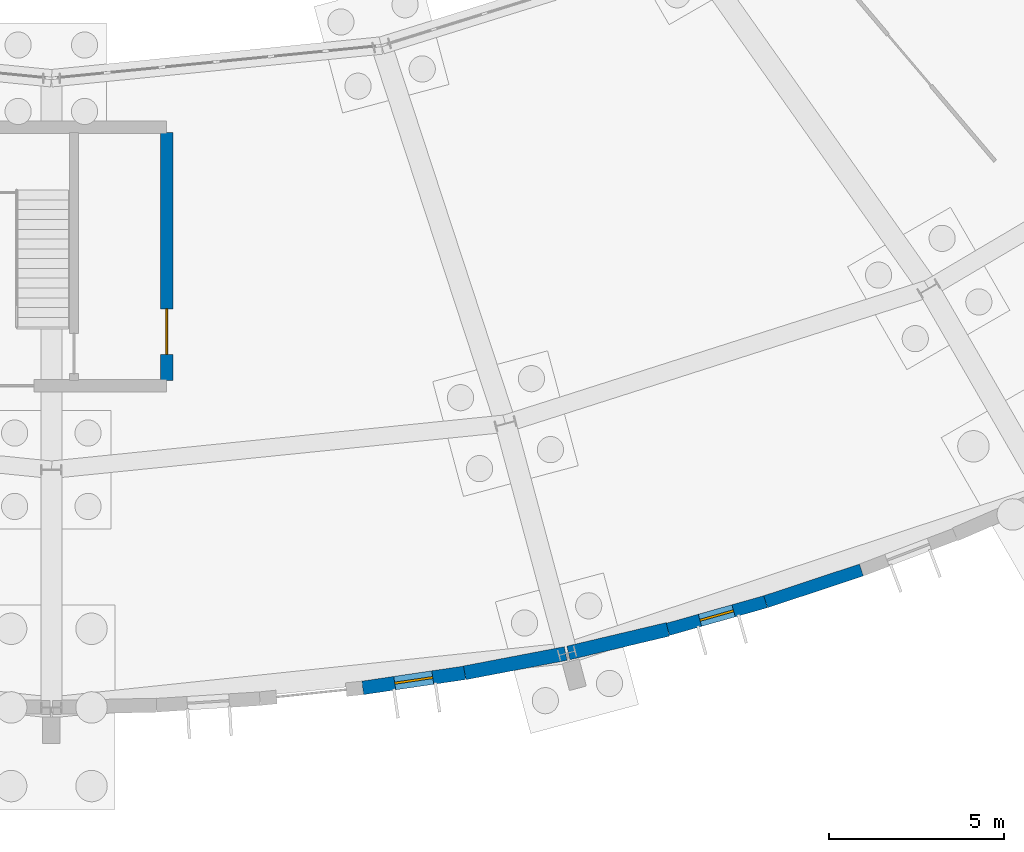
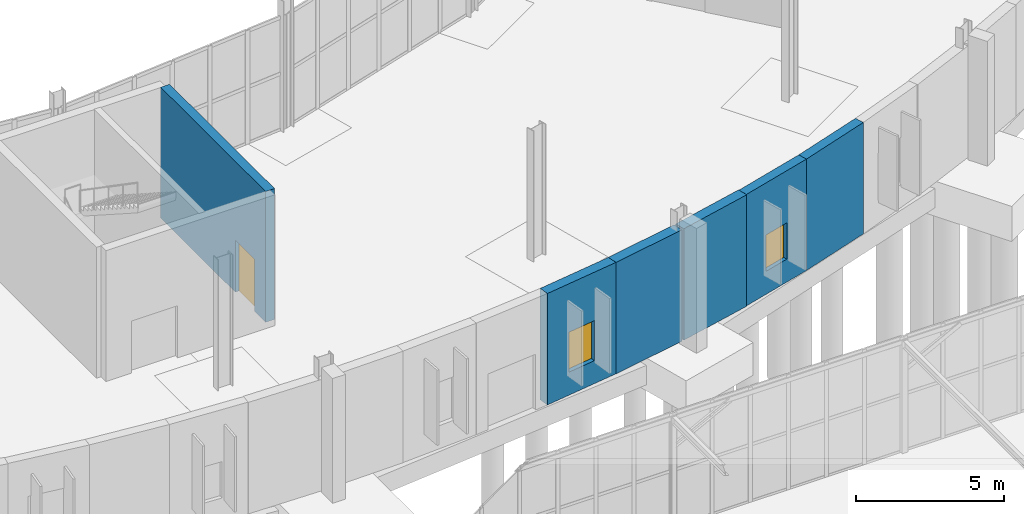
# One storey, part 85 of 118: 6 walls, 2 windows, 1 door, 3 openings.
"""IFC4 building model written with IfcOpenShell, lengths in metres."""

from ifc_helpers import new_model, si_unit, direction, frame, frame_2d, origin, place, context, subcontext, project, spatial, rectangle, extrude, material, layer, layer_set, type_object, element, fill, save


model = new_model("IFC4")

# Units and contexts
model_context = context("Model", 3, precision=1e-05, world=origin(), true_north=direction((0.0, 1.0)))
body_context = subcontext(model_context, "Body", "Model", "MODEL_VIEW")
ifc_project = project(units=[si_unit("LENGTHUNIT", "METRE"), si_unit("AREAUNIT", "SQUARE_METRE"), si_unit("VOLUMEUNIT", "CUBIC_METRE"), si_unit("PLANEANGLEUNIT", "RADIAN"), si_unit("MASSUNIT", "GRAM", prefix="KILO")], contexts=[model_context])

# Site, building, storey
site_placement = place(None, origin())
site = spatial("IfcSite", under=ifc_project, at=site_placement, CompositionType="ELEMENT")
building_placement = place(site_placement, origin())
building = spatial("IfcBuilding", under=site, at=building_placement, Name="Kildeholm Park Wholesale Market", CompositionType="ELEMENT")
storey_placement = place(building_placement, origin())
storey = spatial("IfcBuildingStorey", under=building, at=storey_placement, Name="L00", CompositionType="ELEMENT", Elevation=0.0)

# Wall, opening, window
ifc_material_1 = material(Name="Red Danish clinker brick masonry with Concrete C35/45 backing", Category="masonry")
ifc_layer_1 = layer(ifc_material_1, 0.360107421875)
ifc_layer_set_1 = layer_set([ifc_layer_1], Name="Red Danish clinker brick masonry with Concrete C35/45 backing")
wall_type_1 = type_object("IfcWallType", Name="Exterior wall W-EX1 360 mm", PredefinedType="SOLIDWALL", material=ifc_layer_set_1)
wall_1_placement = place(storey_placement, frame((116.636962890625, 46.23291015625, 0.0), z_axis=(0.0, 0.0, 1.0), x_axis=(0.962286948756, 0.272036446555, 0.0)))
wall_1 = element("IfcWall", 1, at=wall_1_placement, inside=storey, type_object=wall_type_1, Name="Produce ring outer wall 20.2 WL-0163", PredefinedType="SOLIDWALL", context=body_context, shape_type="SweptSolid", body=[
    extrude(rectangle(XDim=2.90771484375, YDim=0.360107421875, at=frame_2d((1.453857421875, 0.0))), origin(), (0.0, 0.0, 1.0), 4.60009765625),
])
opening_1_placement = place(wall_1_placement, frame((0.9541015625, 0.0, 0.949951171875)))
opening_1 = element("IfcOpeningElement", 2, at=opening_1_placement, cuts=wall_1, Name="Opening WN-09", PredefinedType="OPENING", context=body_context, shape_type="SweptSolid", body=[
    extrude(rectangle(XDim=1.0, YDim=1.5, at=frame_2d((0.5, 0.75))), frame((0.0, 0.18994140625, 0.0), z_axis=(0.0, -1.0, 0.0), x_axis=(1.0, 0.0, 0.0)), (0.0, 0.0, 1.0), 0.380126953125),
])
ifc_material_2 = material(Name="Thermally broken aluminium and triple-glazed low-E glass", Category="aluminium")
window_type_1 = type_object("IfcWindowType", Name="Window WN-09 1000x1500", PartitioningType="SINGLE_PANEL", PredefinedType="WINDOW", material=ifc_material_2)
window_1_placement = place(opening_1_placement, origin())
window_1 = element("IfcWindow", 3, at=window_1_placement, inside=storey, type_object=window_type_1, Name="Produce hall arcade window 20.1 WIN-0035", OverallHeight=1.5, OverallWidth=1.0, PartitioningType="SINGLE_PANEL", PredefinedType="WINDOW", context=body_context, shape_type="SweptSolid", body=[
    extrude(rectangle(XDim=1.0, YDim=1.5, at=frame_2d((0.5, 0.75))), frame((0.0, 0.030029296875, 0.0), z_axis=(0.0, -1.0, 0.0), x_axis=(1.0, 0.0, 0.0)), (0.0, 0.0, 1.0), 0.06005859375),
])
fill(opening_1, window_1)

# Walls
wall_2_placement = place(storey_placement, frame((119.43505859375, 47.02392578125, 0.0), z_axis=(0.0, 0.0, 1.0), x_axis=(0.949374423455, 0.314146787489, 0.0)))
element("IfcWall", 4, at=wall_2_placement, inside=storey, type_object=wall_type_1, Name="Produce ring outer wall 20.3 WL-0164", PredefinedType="SOLIDWALL", context=body_context, shape_type="SweptSolid", body=[
    extrude(rectangle(XDim=2.88720703125, YDim=0.360107421875, at=frame_2d((1.443603515625, 0.0))), origin(), (0.0, 0.0, 1.0), 4.60009765625),
])
ifc_material_3 = material(Name="Bornholm granite stone plinth and Concrete C35/45 wall", Category="masonry")
ifc_layer_2 = layer(ifc_material_3, 0.39990234375)
ifc_layer_set_2 = layer_set([ifc_layer_2], Name="Bornholm granite stone plinth and Concrete C35/45 wall")
wall_type_2 = type_object("IfcWallType", Name="Exterior wall W-EX2 400 mm", PredefinedType="SOLIDWALL", material=ifc_layer_set_2)
wall_3_placement = place(storey_placement, frame((110.826904296875, 44.989990234375, 0.0), z_axis=(0.0, 0.0, 1.0), x_axis=(0.982209662349, 0.187787590612, 0.0)))
element("IfcWall", 5, at=wall_3_placement, inside=storey, type_object=wall_type_2, Name="Produce ring outer wall 19.5 WL-0157", PredefinedType="SOLIDWALL", context=body_context, shape_type="SweptSolid", body=[
    extrude(rectangle(XDim=2.939453125, YDim=0.39990234375, at=frame_2d((1.4697265625, 0.0))), origin(), (0.0, 0.0, 1.0), 4.60009765625),
])
wall_4_placement = place(storey_placement, frame((113.79296875, 45.55908203125, 0.0), z_axis=(0.0, 0.0, 1.0), x_axis=(0.973061058114, 0.230547559481, 0.0)))
element("IfcWall", 6, at=wall_4_placement, inside=storey, type_object=wall_type_2, Name="Produce ring outer wall 20.1 WL-0162", PredefinedType="SOLIDWALL", context=body_context, shape_type="SweptSolid", body=[
    extrude(rectangle(XDim=2.922607421875, YDim=0.39990234375, at=frame_2d((1.46142578125, 0.0))), origin(), (0.0, 0.0, 1.0), 4.60009765625),
])

# Wall, opening, window
ifc_material_4 = material(Name="Bornholm granite and ceramic-banded hall facade wall", Category="masonry")
ifc_layer_3 = layer(ifc_material_4, 0.389892578125)
ifc_layer_set_3 = layer_set([ifc_layer_3], Name="Bornholm granite and ceramic-banded hall facade wall")
wall_type_3 = type_object("IfcWallType", Name="Exterior wall W-EX5 390 mm", PredefinedType="SOLIDWALL", material=ifc_layer_set_3)
wall_5_placement = place(storey_placement, frame((107.908935546875, 44.55908203125, 0.0), z_axis=(0.0, 0.0, 1.0), x_axis=(0.98927134979, 0.146089686444, 0.0)))
wall_5 = element("IfcWall", 7, at=wall_5_placement, inside=storey, type_object=wall_type_3, Name="Produce ring outer wall 19.4 WL-0156", PredefinedType="SOLIDWALL", context=body_context, shape_type="SweptSolid", body=[
    extrude(rectangle(XDim=2.94970703125, YDim=0.389892578125, at=frame_2d((1.474853515625, 0.0))), origin(), (0.0, 0.0, 1.0), 4.60009765625),
])
opening_2_placement = place(wall_5_placement, frame((0.925048828125, 0.0, 0.949951171875)))
opening_2 = element("IfcOpeningElement", 8, at=opening_2_placement, cuts=wall_5, Name="Opening WN-19", PredefinedType="OPENING", context=body_context, shape_type="SweptSolid", body=[
    extrude(rectangle(XDim=1.10009765625, YDim=1.64990234375, at=frame_2d((0.550048828125, 0.824951171875))), frame((0.0, 0.204833984375, 0.0), z_axis=(0.0, -1.0, 0.0), x_axis=(1.0, 0.0, 0.0)), (0.0, 0.0, 1.0), 0.409912109375),
])
window_type_2 = type_object("IfcWindowType", Name="Window WN-19 1100x1650", PartitioningType="SINGLE_PANEL", PredefinedType="WINDOW", material=ifc_material_2)
window_2_placement = place(opening_2_placement, origin())
window_2 = element("IfcWindow", 9, at=window_2_placement, inside=storey, type_object=window_type_2, Name="Produce hall arcade window 19.3 WIN-0034", OverallHeight=1.64990234375, OverallWidth=1.10009765625, PartitioningType="SINGLE_PANEL", PredefinedType="WINDOW", context=body_context, shape_type="SweptSolid", body=[
    extrude(rectangle(XDim=1.10009765625, YDim=1.64990234375, at=frame_2d((0.550048828125, 0.824951171875))), frame((0.0, 0.030029296875, 0.0), z_axis=(0.0, -1.0, 0.0), x_axis=(1.0, 0.0, 0.0)), (0.0, 0.0, 1.0), 0.06005859375),
])
fill(opening_2, window_2)

# Wall, opening, door
ifc_material_5 = material(Name="Concrete C40/50", Category="concrete")
ifc_layer_4 = layer(ifc_material_5, 0.35009765625)
ifc_layer_set_4 = layer_set([ifc_layer_4], Name="Concrete C40/50")
wall_type_4 = type_object("IfcWallType", Name="Shear wall W-SH3 350 mm", PredefinedType="SHEAR", material=ifc_layer_set_4)
wall_6_placement = place(storey_placement, frame((102.300048828125, 53.35009765625, 0.0), z_axis=(0.0, 0.0, 1.0), x_axis=(0.0, 1.0, 0.0)))
wall_6 = element("IfcWall", 10, at=wall_6_placement, inside=storey, type_object=wall_type_4, Name="Core C10 east shear wall L00 WL-0831", PredefinedType="SHEAR", context=body_context, shape_type="SweptSolid", body=[
    extrude(rectangle(XDim=7.099853515625, YDim=0.35009765625, at=frame_2d((3.5498046875, 0.0))), origin(), (0.0, 0.0, 1.0), 5.39990234375),
])
opening_3_placement = place(wall_6_placement, frame((0.75, 0.0, 0.0)))
opening_3 = element("IfcOpeningElement", 11, at=opening_3_placement, cuts=wall_6, Name="Opening D-CR02", PredefinedType="OPENING", context=body_context, shape_type="SweptSolid", body=[
    extrude(rectangle(XDim=1.300048828125, YDim=2.14990234375, at=frame_2d((0.64990234375, 1.074951171875))), frame((0.0, 0.18505859375, 0.0), z_axis=(0.0, -1.0, 0.0), x_axis=(1.0, 0.0, 0.0)), (0.0, 0.0, 1.0), 0.3701171875),
])
ifc_material_6 = material(Name="Painted steel core lobby double-leaf doorset", Category="steel")
door_type = type_object("IfcDoorType", Name="Interior door D-CR02 1300x2150", OperationType="NOTDEFINED", PredefinedType="DOOR", material=ifc_material_6)
door_placement = place(opening_3_placement, frame((1.300048828125, 0.0, 0.0), z_axis=(0.0, 0.0, 1.0), x_axis=(-1.0, 0.0, 0.0)))
door = element("IfcDoor", 12, at=door_placement, inside=storey, type_object=door_type, Name="Core C10 lobby entrance door L00 DR-0166 WL-0831", OperationType="DOUBLE_DOOR_SINGLE_SWING", OverallHeight=2.14990234375, OverallWidth=1.300048828125, PredefinedType="DOOR", context=body_context, shape_type="SweptSolid", body=[
    extrude(rectangle(XDim=1.300048828125, YDim=2.14990234375, at=frame_2d((0.64990234375, 1.074951171875))), frame((0.0, 0.02490234375, 0.0), z_axis=(0.0, -1.0, 0.0), x_axis=(1.0, 0.0, 0.0)), (0.0, 0.0, 1.0), 0.050048828125),
])
fill(opening_3, door)

save(model, "model.ifc")
